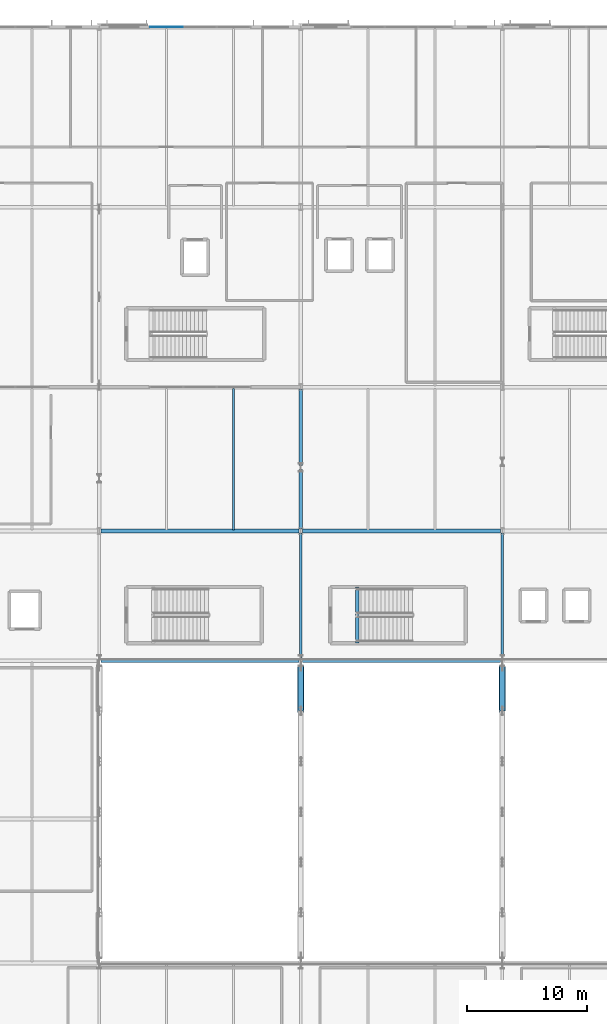
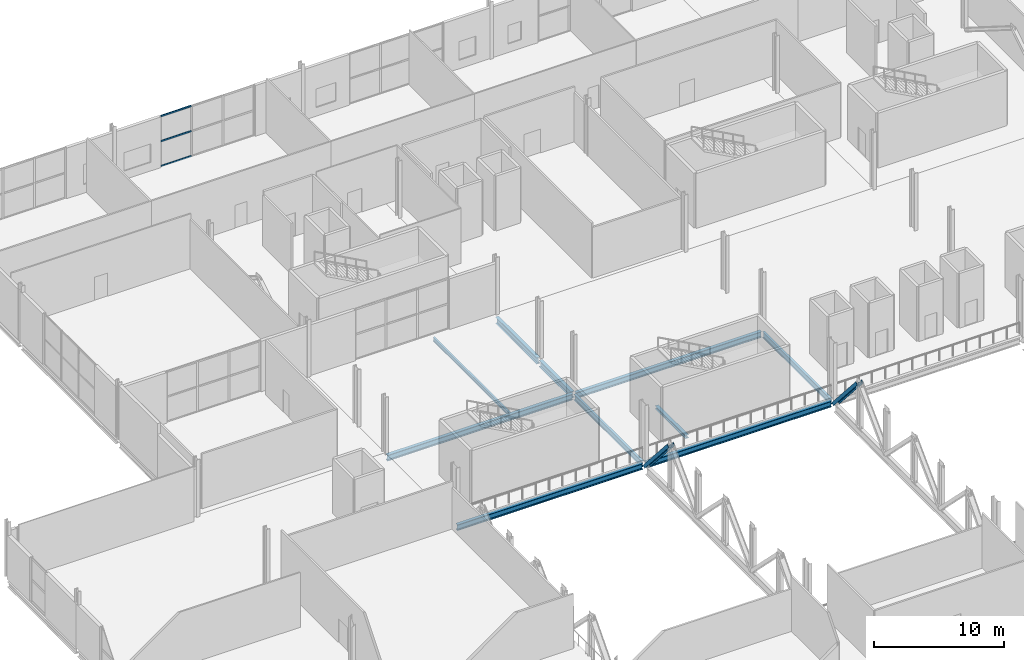
# One storey, part 29 of 84: 10 beams, 5 members, 1 element without a shape of its own.
"""IFC4 building model written with IfcOpenShell, lengths in metres."""

from ifc_helpers import new_model, si_unit, direction, frame, origin, origin_2d, place, context, subcontext, project, spatial, rectangle, i_section, extrude, material, material_profile, profile_set, type_object, element, aggregate, save


model = new_model("IFC4")

# Units and contexts
model_context = context("Model", 3, precision=1e-05, world=origin(), true_north=direction((0.0, 1.0)))
body_context = subcontext(model_context, "Body", "Model", "MODEL_VIEW")
ifc_project = project(units=[si_unit("LENGTHUNIT", "METRE"), si_unit("AREAUNIT", "SQUARE_METRE"), si_unit("VOLUMEUNIT", "CUBIC_METRE"), si_unit("PLANEANGLEUNIT", "RADIAN"), si_unit("MASSUNIT", "GRAM", prefix="KILO")], contexts=[model_context])

# Site, building, storey
site_placement = place(None, origin())
site = spatial("IfcSite", under=ifc_project, at=site_placement, CompositionType="ELEMENT")
building_placement = place(site_placement, origin())
building = spatial("IfcBuilding", under=site, at=building_placement, Name="Kimbaza Rail Terminus", CompositionType="ELEMENT")
storey_placement = place(building_placement, frame((0.0, 0.0, 5.39990234375)))
storey = spatial("IfcBuildingStorey", under=building, at=storey_placement, Name="L01", CompositionType="ELEMENT", Elevation=5.39990234375)

# Curtain wall, members
ifc_material_1 = material(Name="Anodised aluminium framing and solar low-E glazing", Category="aluminium")
curtain_wall_type = type_object("IfcCurtainWallType", Name="ARC-CW-OP1", PredefinedType="USERDEFINED", material=ifc_material_1)
curtain_wall_placement = place(storey_placement, origin())
curtain_wall = element("IfcCurtainWall", 1, at=curtain_wall_placement, inside=storey, type_object=curtain_wall_type, Name="Operations North Curtain Wall L01 Bay 2", ObjectType="UNITISED CURTAIN WALL", PredefinedType="USERDEFINED")
ifc_material_2 = material(Name="Anodised architectural aluminium", Category="aluminium")
ifc_material_profile_1 = material_profile(ifc_material_2, rectangle(XDim=0.06201171875, YDim=0.135009765625, at=origin_2d()), Name="TRANSOM 62x135")
ifc_profile_set_1 = profile_set([ifc_material_profile_1], Name="Anodised architectural aluminium")
member_type_1 = type_object("IfcMemberType", Name="ARC-CWT-05", PredefinedType="USERDEFINED", material=ifc_profile_set_1)
member_1_placement = place(storey_placement, frame((76.261962890625, 133.0, 0.031005859375), z_axis=(1.0, 0.0, 0.0), x_axis=(0.0, 1.0, 0.0)))
member_1 = element("IfcMember", 2, at=member_1_placement, type_object=member_type_1, Name="CW-05 transom 1.1", ObjectType="TRANSOM", PredefinedType="USERDEFINED", context=body_context, shape_type="SweptSolid", body=[
    extrude(rectangle(XDim=0.06201171875, YDim=0.135009765625, at=origin_2d()), origin(), (0.0, 0.0, 1.0), 2.70703125),
])
member_2_placement = place(storey_placement, frame((76.261962890625, 133.0, 2.382568359375), z_axis=(1.0, 0.0, 0.0), x_axis=(0.0, 1.0, 0.0)))
member_2 = element("IfcMember", 3, at=member_2_placement, type_object=member_type_1, Name="CW-05 transom 1.2", ObjectType="TRANSOM", PredefinedType="USERDEFINED", context=body_context, shape_type="SweptSolid", body=[
    extrude(rectangle(XDim=0.06201171875, YDim=0.135009765625, at=origin_2d()), origin(), (0.0, 0.0, 1.0), 2.70703125),
])
member_3_placement = place(storey_placement, frame((76.261962890625, 133.0, 4.734130859375), z_axis=(1.0, 0.0, 0.0), x_axis=(0.0, 1.0, 0.0)))
member_3 = element("IfcMember", 4, at=member_3_placement, type_object=member_type_1, Name="CW-05 transom 1.3", ObjectType="TRANSOM", PredefinedType="USERDEFINED", context=body_context, shape_type="SweptSolid", body=[
    extrude(rectangle(XDim=0.06201171875, YDim=0.135009765625, at=origin_2d()), origin(), (0.0, 0.0, 1.0), 2.70703125),
])
aggregate(curtain_wall, [member_1, member_2, member_3])

# Beams
ifc_material_3 = material(Name="Steel S355", Category="steel")
ifc_material_profile_2 = material_profile(ifc_material_3, i_section(OverallWidth=0.300048828125, OverallDepth=0.2900390625, WebThickness=0.008544921875, FlangeThickness=0.013916015625, FilletRadius=0.027099609375, at=origin_2d()), Name="HEA 300")
ifc_profile_set_2 = profile_set([ifc_material_profile_2], Name="Steel S355")
beam_type_1 = type_object("IfcBeamType", Name="STR-BM-HEA300", PredefinedType="SPANDREL", material=ifc_profile_set_2)
beam_1_placement = place(storey_placement, frame((93.5, 81.659912109375, -0.364990234375), z_axis=(0.0, 1.0, 0.0), x_axis=(-1.0, 0.0, 0.0)))
element("IfcBeam", 5, at=beam_1_placement, inside=storey, type_object=beam_type_1, Name="Footbridge West Platform Stair Landing Trimmer Beam L01", PredefinedType="SPANDREL", context=body_context, shape_type="SweptSolid", body=[
    extrude(i_section(OverallWidth=0.300048828125, OverallDepth=0.2900390625, WebThickness=0.008544921875, FlangeThickness=0.013916015625, FilletRadius=0.027099609375, at=origin_2d()), origin(), (0.0, 0.0, 1.0), 4.68017578125),
])
ifc_material_4 = material(Name="Steel S355", Category="steel")
ifc_material_profile_3 = material_profile(ifc_material_4, i_section(OverallWidth=0.300048828125, OverallDepth=0.550048828125, WebThickness=0.014892578125, FlangeThickness=0.029052734375, FilletRadius=0.027099609375, at=origin_2d()), Name="HEB 550")
ifc_profile_set_3 = profile_set([ifc_material_profile_3], Name="Steel S355")
beam_type_2 = type_object("IfcBeamType", Name="STR-BM-HEB550", PredefinedType="BEAM", material=ifc_profile_set_3)
for number, where, z_axis, x_axis, name in (
    (6, (72.14599609375, 80.199951171875, -0.494873046875), (1.0, 0.0, 0.0), (0.0, 1.0, 0.0), "Beam BM-V2X-L01-80-2"),
    (7, (88.946044921875, 80.199951171875, -0.494873046875), (1.0, 0.0, 0.0), (0.0, 1.0, 0.0), "Beam BM-V2X-L01-80-3"),
    (8, (72.14599609375, 91.0, -0.494873046875), (1.0, 0.0, 0.0), (0.0, 1.0, 0.0), "Beam BM-V2X-L01-91-2"),
    (9, (88.946044921875, 91.0, -0.494873046875), (1.0, 0.0, 0.0), (0.0, 1.0, 0.0), "Beam BM-V2X-L01-91-3"),
):
    element("IfcBeam", number, at=place(storey_placement, frame(where, z_axis=z_axis, x_axis=x_axis)), inside=storey, type_object=beam_type_2, Name=name, PredefinedType="BEAM", context=body_context, shape_type="SweptSolid", body=[
        extrude(i_section(OverallWidth=0.300048828125, OverallDepth=0.550048828125, WebThickness=0.014892578125, FlangeThickness=0.029052734375, FilletRadius=0.027099609375, at=origin_2d()), origin(), (0.0, 0.0, 1.0), 16.508056640625),
    ])
ifc_material_5 = material(Name="Steel S355", Category="steel")
ifc_material_profile_4 = material_profile(ifc_material_5, i_section(OverallWidth=0.300048828125, OverallDepth=0.60009765625, WebThickness=0.015380859375, FlangeThickness=0.030029296875, FilletRadius=0.027099609375, at=origin_2d()), Name="HEB 600")
ifc_profile_set_4 = profile_set([ifc_material_profile_4], Name="Steel S355")
beam_type_3 = type_object("IfcBeamType", Name="STR-BM-HEB600", PredefinedType="BEAM", material=ifc_profile_set_4)
beam_2_placement = place(storey_placement, frame((88.800048828125, 91.175048828125, -0.52001953125), z_axis=(0.0, 1.0, 0.0), x_axis=(-1.0, 0.0, 0.0)))
element("IfcBeam", 10, at=beam_2_placement, inside=storey, type_object=beam_type_3, Name="Beam BM-VSPN-L01-4", PredefinedType="BEAM", context=body_context, shape_type="SweptSolid", body=[
    extrude(i_section(OverallWidth=0.300048828125, OverallDepth=0.60009765625, WebThickness=0.015380859375, FlangeThickness=0.030029296875, FilletRadius=0.027099609375, at=origin_2d()), origin(), (0.0, 0.0, 1.0), 4.937744140625),
])
beam_3_placement = place(storey_placement, frame((88.800048828125, 96.462646484375, -0.52001953125), z_axis=(0.0, 1.0, 0.0), x_axis=(-1.0, 0.0, 0.0)))
element("IfcBeam", 11, at=beam_3_placement, inside=storey, type_object=beam_type_3, Name="Beam BM-VSPN2-L01-4", PredefinedType="BEAM", context=body_context, shape_type="SweptSolid", body=[
    extrude(i_section(OverallWidth=0.300048828125, OverallDepth=0.60009765625, WebThickness=0.015380859375, FlangeThickness=0.030029296875, FilletRadius=0.027099609375, at=origin_2d()), origin(), (0.0, 0.0, 1.0), 6.3623046875),
])
ifc_material_6 = material(Name="Steel S355", Category="steel")
ifc_material_profile_5 = material_profile(ifc_material_6, i_section(OverallWidth=0.169921875, OverallDepth=0.360107421875, WebThickness=0.008056640625, FlangeThickness=0.0126953125, FilletRadius=0.01806640625, at=origin_2d()), Name="IPE 360")
ifc_profile_set_5 = profile_set([ifc_material_profile_5], Name="Steel S355")
beam_type_4 = type_object("IfcBeamType", Name="STR-BM-IPE360", PredefinedType="JOIST", material=ifc_profile_set_5)
beam_4_placement = place(storey_placement, frame((83.199951171875, 91.10009765625, -0.39990234375), z_axis=(0.0, 1.0, 0.0), x_axis=(-1.0, 0.0, 0.0)))
element("IfcBeam", 12, at=beam_4_placement, inside=storey, type_object=beam_type_4, Name="Beam JST-V2-L01-1-2-91", PredefinedType="JOIST", context=body_context, shape_type="SweptSolid", body=[
    extrude(i_section(OverallWidth=0.169921875, OverallDepth=0.360107421875, WebThickness=0.008056640625, FlangeThickness=0.0126953125, FilletRadius=0.01806640625, at=origin_2d()), origin(), (0.0, 0.0, 1.0), 11.7998046875),
])
ifc_material_7 = material(Name="Steel S355", Category="steel")
ifc_material_profile_6 = material_profile(ifc_material_7, i_section(OverallWidth=0.2099609375, OverallDepth=0.550048828125, WebThickness=0.010986328125, FlangeThickness=0.01708984375, FilletRadius=0.02392578125, at=origin_2d()), Name="IPE 550")
ifc_profile_set_6 = profile_set([ifc_material_profile_6], Name="Steel S355")
beam_type_5 = type_object("IfcBeamType", Name="STR-BM-IPE550", PredefinedType="BEAM", material=ifc_profile_set_6)
for number, where, z_axis, x_axis, name in (
    (13, (88.800048828125, 80.375, -0.494873046875), (0.0, 1.0, 0.0), (-1.0, 0.0, 0.0), "Beam BM-V2Y-L01-2-80"),
    (14, (105.60009765625, 80.375, -0.494873046875), (0.0, 1.0, 0.0), (-1.0, 0.0, 0.0), "Beam BM-V2Y-L01-3-80"),
):
    element("IfcBeam", number, at=place(storey_placement, frame(where, z_axis=z_axis, x_axis=x_axis)), inside=storey, type_object=beam_type_5, Name=name, PredefinedType="BEAM", context=body_context, shape_type="SweptSolid", body=[
        extrude(i_section(OverallWidth=0.2099609375, OverallDepth=0.550048828125, WebThickness=0.010986328125, FlangeThickness=0.01708984375, FilletRadius=0.02392578125, at=origin_2d()), origin(), (0.0, 0.0, 1.0), 10.449951171875),
    ])

# Members
ifc_material_8 = material(Name="Steel S355", Category="steel")
ifc_material_profile_7 = material_profile(ifc_material_8, i_section(OverallWidth=0.300048828125, OverallDepth=0.550048828125, WebThickness=0.014892578125, FlangeThickness=0.029052734375, FilletRadius=0.027099609375, at=origin_2d()), Name="HEB 550")
ifc_profile_set_7 = profile_set([ifc_material_profile_7], Name="Steel S355")
member_type_2 = type_object("IfcMemberType", Name="STR-MB-HEB550", PredefinedType="BRACE", material=ifc_profile_set_7)
for number, where, z_axis, x_axis, name in (
    (15, (88.800048828125, 76.0, 3.955078125), (0.0, 0.660856906539, -0.750511924675), (0.0, 0.750511924675, 0.660856906539), "Warren Transfer Truss Diagonal WT-02-6"),
    (16, (105.60009765625, 76.0, 3.955078125), (0.0, 0.660856906539, -0.750511924675), (0.0, 0.750511924675, 0.660856906539), "Warren Transfer Truss Diagonal WT-03-6"),
):
    element("IfcMember", number, at=place(storey_placement, frame(where, z_axis=z_axis, x_axis=x_axis)), inside=storey, type_object=member_type_2, Name=name, PredefinedType="BRACE", context=body_context, shape_type="SweptSolid", body=[
        extrude(i_section(OverallWidth=0.300048828125, OverallDepth=0.550048828125, WebThickness=0.014892578125, FlangeThickness=0.029052734375, FilletRadius=0.027099609375, at=origin_2d()), origin(), (0.0, 0.0, 1.0), 5.5986328125),
    ])

save(model, "model.ifc")
